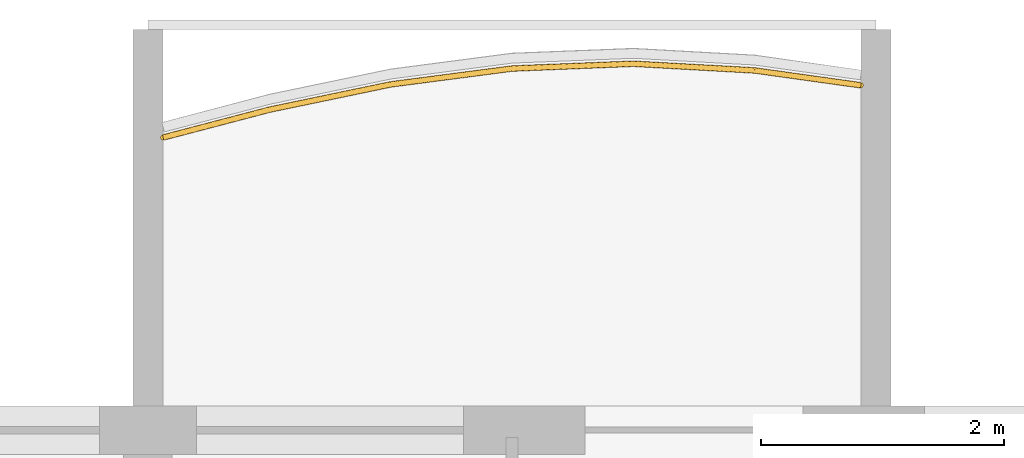
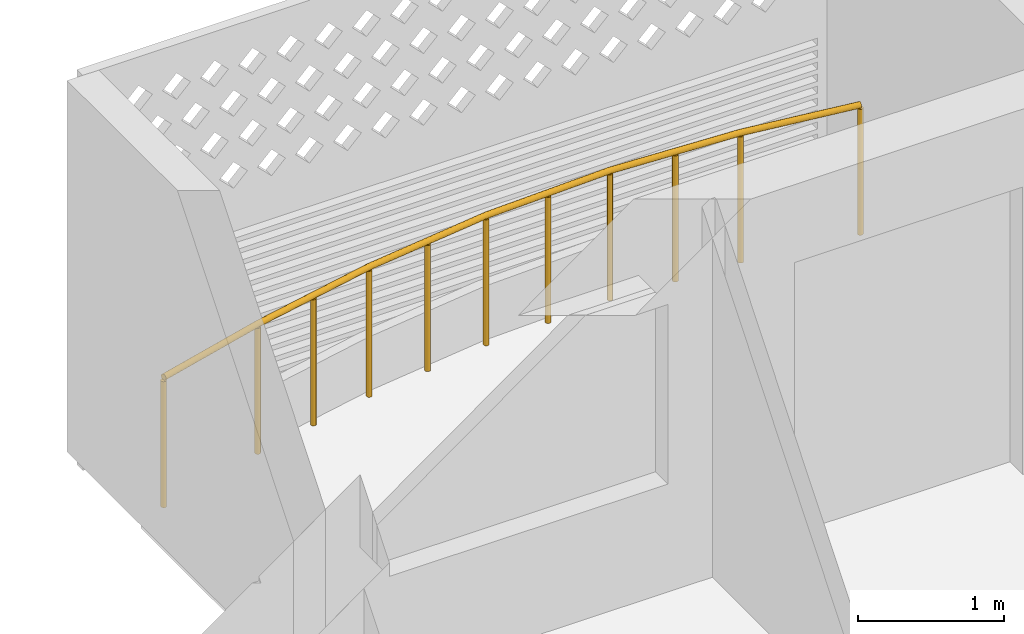
# One storey, part 30 of 40: 1 railing.
"""IFC4 building model written with IfcOpenShell, lengths in metres."""

from ifc_helpers import new_model, si_unit, direction, frame, origin, origin_2d, place, context, subcontext, project, spatial, circle, extrude, material, type_object, element, save


model = new_model("IFC4")

# Units and contexts
model_context = context("Model", 3, precision=1e-05, world=origin(), true_north=direction((0.0, 1.0)))
body_context = subcontext(model_context, "Body", "Model", "MODEL_VIEW")
ifc_project = project(units=[si_unit("LENGTHUNIT", "METRE"), si_unit("AREAUNIT", "SQUARE_METRE"), si_unit("VOLUMEUNIT", "CUBIC_METRE"), si_unit("PLANEANGLEUNIT", "RADIAN"), si_unit("MASSUNIT", "GRAM", prefix="KILO")], contexts=[model_context])

# Site, building, storey
site_placement = place(None, origin())
site = spatial("IfcSite", under=ifc_project, at=site_placement, CompositionType="ELEMENT")
building_placement = place(site_placement, origin())
building = spatial("IfcBuilding", under=site, at=building_placement, Name="Poui Terraces", CompositionType="ELEMENT")
storey_placement = place(building_placement, frame((0.0, 0.0, 39.89990234375)))
storey = spatial("IfcBuildingStorey", under=building, at=storey_placement, Name="L10", CompositionType="ELEMENT", Elevation=39.89990234375)

# Railing
ifc_material = material(Name="Painted steel fretwork", Category="steel")
railing_type = type_object("IfcRailingType", Name="BALCONY GUARD 1100", PredefinedType="GUARDRAIL", material=ifc_material)
railing_placement = place(storey_placement, frame((60.125, 47.21142578125, 0.0)))
element("IfcRailing", 1, at=railing_placement, inside=storey, type_object=railing_type, Name="BALCONY GUARD", PredefinedType="GUARDRAIL", context=body_context, shape_type="SweptSolid", body=[
    extrude(circle(Radius=0.02392578125, at=origin_2d()), frame((0.0, 0.0, 1.076171875), z_axis=(0.967350168879, 0.253443584983, 0.0), x_axis=(-0.253443584983, 0.967350168879, 0.0)), (0.0, 0.0, 1.0), 0.904541015625),
    extrude(circle(Radius=0.02392578125, at=origin_2d()), frame((0.875, 0.229248046875, 1.076171875), z_axis=(0.978948594034, 0.204106957838, 0.0), x_axis=(-0.204106957838, 0.978948594034, 0.0)), (0.0, 0.0, 1.0), 1.021484375),
    extrude(circle(Radius=0.02392578125, at=origin_2d()), frame((1.875, 0.437744140625, 1.076171875), z_axis=(0.991577447063, 0.129515120649, 0.0), x_axis=(-0.129515120649, 0.991577447063, 0.0)), (0.0, 0.0, 1.0), 1.008544921875),
    extrude(circle(Radius=0.02392578125, at=origin_2d()), frame((2.875, 0.568359375, 1.076171875), z_axis=(0.99920912132, 0.03976344892, 0.0), x_axis=(-0.03976344892, 0.99920912132, 0.0)), (0.0, 0.0, 1.0), 1.000732421875),
    extrude(circle(Radius=0.02392578125, at=origin_2d()), frame((3.875, 0.608154296875, 1.076171875), z_axis=(0.998467844587, -0.055335009942, 0.0), x_axis=(0.055335009942, 0.998467844587, 0.0)), (0.0, 0.0, 1.0), 1.00146484375),
    extrude(circle(Radius=0.02392578125, at=origin_2d()), frame((4.875, 0.552734375, 1.076171875), z_axis=(0.990370561687, -0.138441867021, 0.0), x_axis=(0.138441867021, 0.990370561687, 0.0)), (0.0, 0.0, 1.0), 0.883544921875),
    extrude(circle(Radius=0.02099609375, at=origin_2d()), origin(), (0.0, 0.0, 1.0), 1.052001953125),
    extrude(circle(Radius=0.02099609375, at=origin_2d()), frame((0.875, 0.229248046875, 0.0)), (0.0, 0.0, 1.0), 1.052001953125),
    extrude(circle(Radius=0.02099609375, at=origin_2d()), frame((1.375, 0.33349609375, 0.0)), (0.0, 0.0, 1.0), 1.052001953125),
    extrude(circle(Radius=0.02099609375, at=origin_2d()), frame((1.875, 0.437744140625, 0.0)), (0.0, 0.0, 1.0), 1.052001953125),
    extrude(circle(Radius=0.02099609375, at=origin_2d()), frame((2.375, 0.5029296875, 0.0)), (0.0, 0.0, 1.0), 1.052001953125),
    extrude(circle(Radius=0.02099609375, at=origin_2d()), frame((2.875, 0.568359375, 0.0)), (0.0, 0.0, 1.0), 1.052001953125),
    extrude(circle(Radius=0.02099609375, at=origin_2d()), frame((3.375, 0.58837890625, 0.0)), (0.0, 0.0, 1.0), 1.052001953125),
    extrude(circle(Radius=0.02099609375, at=origin_2d()), frame((3.875, 0.608154296875, 0.0)), (0.0, 0.0, 1.0), 1.052001953125),
    extrude(circle(Radius=0.02099609375, at=origin_2d()), frame((4.375, 0.58056640625, 0.0)), (0.0, 0.0, 1.0), 1.052001953125),
    extrude(circle(Radius=0.02099609375, at=origin_2d()), frame((4.875, 0.552734375, 0.0)), (0.0, 0.0, 1.0), 1.052001953125),
    extrude(circle(Radius=0.02099609375, at=origin_2d()), frame((5.75, 0.430419921875, 0.0)), (0.0, 0.0, 1.0), 1.052001953125),
])

save(model, "model.ifc")
